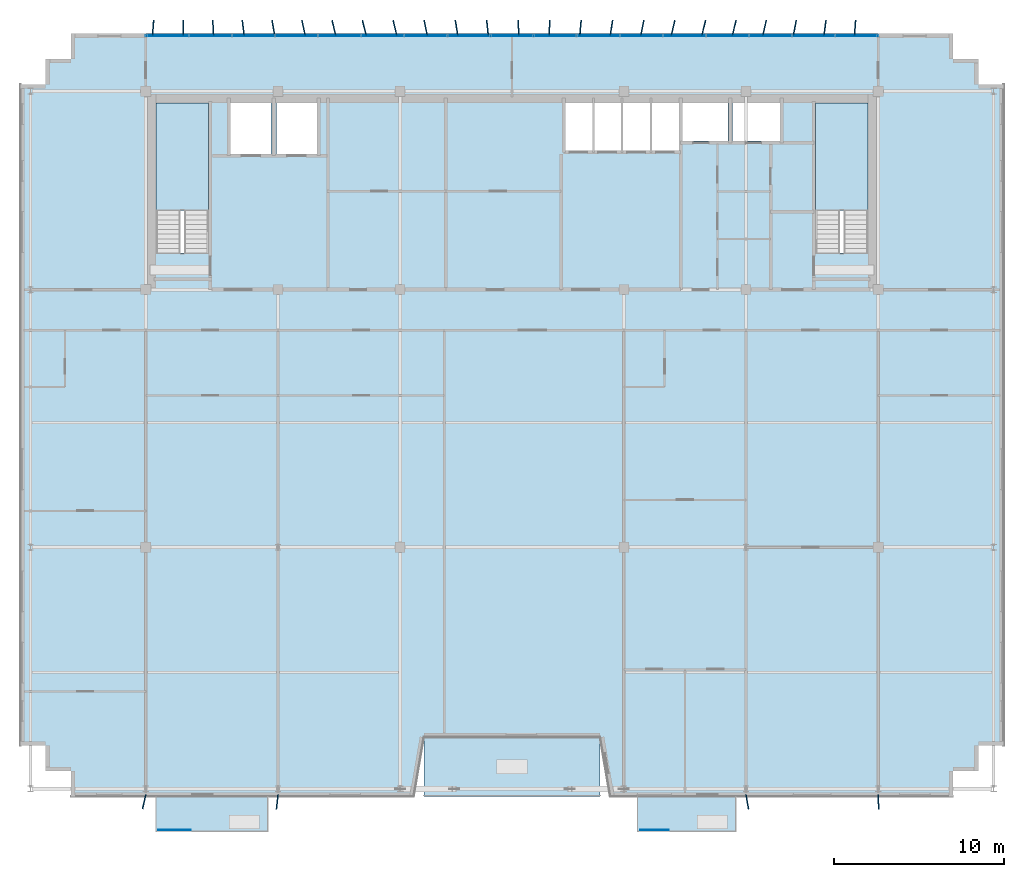
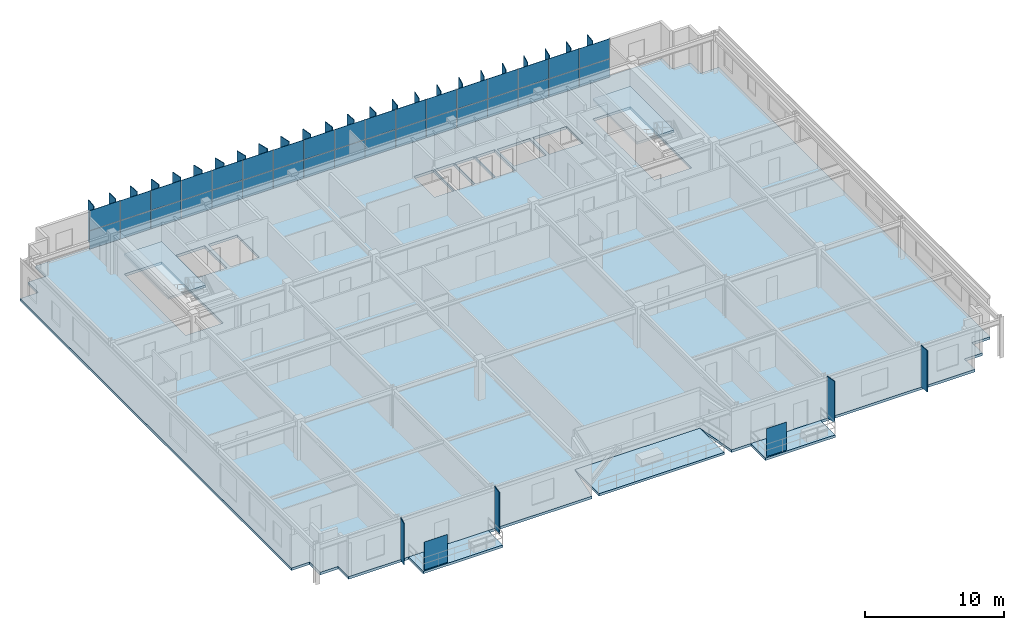
# One storey, part 15 of 22: 64 plates, 6 slabs, 3 elements without a shape of their own.
"""IFC4 building model written with IfcOpenShell, lengths in metres."""

from ifc_helpers import new_model, si_unit, direction, frame, origin, origin_2d, place, context, subcontext, project, spatial, polyline, rectangle, outline, extrude, source, transform, mapped, material, layer, layer_set, type_object, element, aggregate, save


model = new_model("IFC4")

# Units and contexts
model_context = context("Model", 3, precision=1e-05, world=origin(), true_north=direction((0.0, 1.0)))
body_context = subcontext(model_context, "Body", "Model", "MODEL_VIEW")
ifc_project = project(units=[si_unit("LENGTHUNIT", "METRE"), si_unit("AREAUNIT", "SQUARE_METRE"), si_unit("VOLUMEUNIT", "CUBIC_METRE"), si_unit("PLANEANGLEUNIT", "RADIAN"), si_unit("MASSUNIT", "GRAM", prefix="KILO")], contexts=[model_context])

# Site, building, storey
site_placement = place(None, origin())
site = spatial("IfcSite", under=ifc_project, at=site_placement, CompositionType="ELEMENT")
building_placement = place(site_placement, origin())
building = spatial("IfcBuilding", under=site, at=building_placement, Name="Trelvane Seafront Commons", CompositionType="ELEMENT")
storey_placement = place(building_placement, frame((0.0, 0.0, 288.300048828125)))
storey = spatial("IfcBuildingStorey", under=building, at=storey_placement, Name="L75", CompositionType="ELEMENT", Elevation=288.300048828125)

# Slabs
ifc_material_1 = material(Name="Concrete C40/50", Category="concrete")
ifc_layer_1 = layer(ifc_material_1, 0.219970703125, Name="ARCH-BALC-220")
ifc_layer_set_1 = layer_set([ifc_layer_1], Name="Concrete C40/50")
slab_type_1 = type_object("IfcSlabType", Name="ARCH-BALC-220", PredefinedType="FLOOR", material=ifc_layer_set_1)
slab_1_placement = place(storey_placement, frame((0.0, 0.0, -0.219970703125)))
element("IfcSlab", 1, at=slab_1_placement, inside=storey, type_object=slab_type_1, Name="L75 Cantilevered Tree Balcony Loggia 1", PredefinedType="FLOOR", context=body_context, shape_type="SweptSolid", body=[
    extrude(outline(polyline([(16.199951171875, 1.39990234375), (22.800048828125, 1.39990234375), (22.800048828125, 3.5), (16.199951171875, 3.5), (16.199951171875, 1.39990234375)])), origin(), (0.0, 0.0, 1.0), 0.219970703125),
])
slab_2_placement = place(storey_placement, frame((0.0, 0.0, -0.219970703125)))
element("IfcSlab", 2, at=slab_2_placement, inside=storey, type_object=slab_type_1, Name="L75 Cantilevered Tree Balcony Loggia 2", PredefinedType="FLOOR", context=body_context, shape_type="SweptSolid", body=[
    extrude(outline(polyline([(44.60009765625, 1.39990234375), (50.39990234375, 1.39990234375), (50.39990234375, 3.5), (44.60009765625, 3.5), (44.60009765625, 1.39990234375)])), origin(), (0.0, 0.0, 1.0), 0.219970703125),
])

# Stair, slab
stair_type_1 = type_object("IfcStairType", Name="ARCH-STR-ST-1-R20-180", PredefinedType="HALF_TURN_STAIR", material=ifc_material_1)
stair_1_placement = place(storey_placement, origin())
stair_1 = element("IfcStair", 3, at=stair_1_placement, inside=storey, type_object=stair_type_1, Name="L75 West Protected Firefighting Exit Stair ST-1", PredefinedType="HALF_TURN_STAIR")
ifc_layer_2 = layer(ifc_material_1, 0.199951171875, Name="ARCH-LND-200")
ifc_layer_set_2 = layer_set([ifc_layer_2], Name="Concrete C40/50")
slab_type_2 = type_object("IfcSlabType", Name="ARCH-LND-200", PredefinedType="LANDING", material=ifc_layer_set_2)
slab_3_placement = place(storey_placement, frame((0.0, 0.0, 1.599853515625)))
slab_3 = element("IfcSlab", 4, at=slab_3_placement, type_object=slab_type_2, Name="ST-1 landing 1", PredefinedType="LANDING", context=body_context, shape_type="SweptSolid", body=[
    extrude(outline(polyline([(19.300048828125, 38.070068359375), (19.300048828125, 44.39990234375), (16.199951171875, 44.39990234375), (16.199951171875, 38.070068359375), (19.300048828125, 38.070068359375)])), origin(), (0.0, 0.0, 1.0), 0.2001953125),
])
aggregate(stair_1, [slab_3])

stair_type_2 = type_object("IfcStairType", Name="ARCH-STR-ST-2-R20-180", PredefinedType="HALF_TURN_STAIR", material=ifc_material_1)
stair_2_placement = place(storey_placement, origin())
stair_2 = element("IfcStair", 5, at=stair_2_placement, inside=storey, type_object=stair_type_2, Name="L75 East Protected Firefighting Exit Stair ST-2", PredefinedType="HALF_TURN_STAIR")
slab_4_placement = place(storey_placement, frame((0.0, 0.0, 1.599853515625)))
slab_4 = element("IfcSlab", 6, at=slab_4_placement, type_object=slab_type_2, Name="ST-2 landing 1", PredefinedType="LANDING", context=body_context, shape_type="SweptSolid", body=[
    extrude(outline(polyline([(58.199951171875, 38.070068359375), (58.199951171875, 44.39990234375), (55.10009765625, 44.39990234375), (55.10009765625, 38.070068359375), (58.199951171875, 38.070068359375)])), origin(), (0.0, 0.0, 1.0), 0.2001953125),
])
aggregate(stair_2, [slab_4])

# Slabs
ifc_layer_3 = layer(ifc_material_1, 0.2099609375, Name="ARCH-TERR-210")
ifc_layer_set_3 = layer_set([ifc_layer_3], Name="Concrete C40/50")
slab_type_3 = type_object("IfcSlabType", Name="ARCH-TERR-210", PredefinedType="FLOOR", material=ifc_layer_set_3)
slab_5_placement = place(storey_placement, frame((0.0, 0.0, -0.2099609375)))
element("IfcSlab", 7, at=slab_5_placement, inside=storey, type_object=slab_type_3, Name="L75 V-Notched Sky Garden Terrace Slab", PredefinedType="FLOOR", context=body_context, shape_type="SweptSolid", body=[
    extrude(outline(polyline([(32.0, 3.5), (42.39990234375, 3.5), (42.39990234375, 7.0), (32.0, 7.0), (32.0, 3.5)])), origin(), (0.0, 0.0, 1.0), 0.2099609375),
])
ifc_material_2 = material(Name="Concrete C50/60", Category="concrete")
ifc_layer_4 = layer(ifc_material_2, 0.22998046875, Name="STR-SLB-Z5-230")
ifc_layer_set_4 = layer_set([ifc_layer_4], Name="Concrete C50/60")
slab_type_4 = type_object("IfcSlabType", Name="STR-SLB-Z5-230", PredefinedType="FLOOR", material=ifc_layer_set_4)
slab_6_placement = place(storey_placement, frame((0.0, 0.0, -0.22998046875)))
element("IfcSlab", 8, at=slab_6_placement, inside=storey, type_object=slab_type_4, Name="L75 Structural Floor Slab", PredefinedType="FLOOR", context=body_context, shape_type="SweptSolid", body=[
    extrude(outline(polyline([(11.199951171875, 3.5), (31.39990234375, 3.5), (32.0, 7.0), (42.39990234375, 7.0), (43.0, 3.5), (63.199951171875, 3.5), (63.199951171875, 5.0), (64.699951171875, 5.0), (64.699951171875, 6.5), (66.199951171875, 6.5), (66.199951171875, 45.5), (64.699951171875, 45.5), (64.699951171875, 47.0), (63.199951171875, 47.0), (63.199951171875, 48.5), (11.199951171875, 48.5), (11.199951171875, 47.0), (9.699951171875, 47.0), (9.699951171875, 45.5), (8.199951171875, 45.5), (8.199951171875, 6.5), (9.699951171875, 6.5), (9.699951171875, 5.0), (11.199951171875, 5.0), (11.199951171875, 3.5)]), holes=[polyline([(19.300048828125, 35.550048828125), (16.199951171875, 35.550048828125), (16.199951171875, 44.39990234375), (19.300048828125, 44.39990234375), (19.300048828125, 35.550048828125)]), polyline([(58.199951171875, 35.550048828125), (55.10009765625, 35.550048828125), (55.10009765625, 44.39990234375), (58.199951171875, 44.39990234375), (58.199951171875, 35.550048828125)]), polyline([(23.0, 41.39990234375), (20.60009765625, 41.39990234375), (20.60009765625, 44.60009765625), (23.0, 44.60009765625), (23.0, 41.39990234375)]), polyline([(23.300048828125, 41.39990234375), (23.300048828125, 44.60009765625), (25.699951171875, 44.60009765625), (25.699951171875, 41.39990234375), (23.300048828125, 41.39990234375)]), polyline([(40.35009765625, 41.60009765625), (40.35009765625, 44.60009765625), (41.969970703125, 44.60009765625), (41.969970703125, 41.60009765625), (40.35009765625, 41.60009765625)]), polyline([(43.669921875, 41.60009765625), (42.050048828125, 41.60009765625), (42.050048828125, 44.60009765625), (43.669921875, 44.60009765625), (43.669921875, 41.60009765625)]), polyline([(45.3701171875, 41.60009765625), (43.75, 41.60009765625), (43.75, 44.60009765625), (45.3701171875, 44.60009765625), (45.3701171875, 41.60009765625)]), polyline([(47.070068359375, 41.60009765625), (45.449951171875, 41.60009765625), (45.449951171875, 44.60009765625), (47.070068359375, 44.60009765625), (47.070068359375, 41.60009765625)]), polyline([(47.25, 42.14990234375), (47.25, 44.550048828125), (49.949951171875, 44.550048828125), (49.949951171875, 42.14990234375), (47.25, 42.14990234375)]), polyline([(50.199951171875, 42.14990234375), (50.199951171875, 44.550048828125), (53.0, 44.550048828125), (53.0, 42.14990234375), (50.199951171875, 42.14990234375)])]), origin(), (0.0, 0.0, 1.0), 0.22998046875),
])

# Plates
ifc_material_3 = material(Name="Perforated anodised aluminium screen", Category="aluminium")
ifc_layer_5 = layer(ifc_material_3, 0.01611328125, Name="ARCH-PLATE-SCREEN")
ifc_layer_set_5 = layer_set([ifc_layer_5], Name="Perforated anodised aluminium screen")
plate_type_1 = type_object("IfcPlateType", Name="ARCH-PLATE-SCREEN", PredefinedType="USERDEFINED", material=ifc_layer_set_5)
shared_shape_1 = source(origin(), body_context, "Body", "SweptSolid", [
    extrude(rectangle(XDim=1.9140625, YDim=0.01611328125, at=origin_2d()), origin(), (0.0, 0.0, 1.0), 2.449951171875),
])
plate_1_placement = place(storey_placement, frame((17.306884765625, 1.52001953125, 0.0), z_axis=(0.0, 0.0, 1.0), x_axis=(1.0, 0.0, 0.0)))
element("IfcPlate", 9, at=plate_1_placement, inside=storey, type_object=plate_type_1, Name="SCR-L75-00260", ObjectType="SCREEN", PredefinedType="USERDEFINED", context=body_context, shape_type="MappedRepresentation", body=[
    mapped(shared_shape_1, transform((0.0, 0.0, 0.0), x_axis=(1.0, 0.0, 0.0), y_axis=(0.0, 1.0, 0.0), z_axis=(0.0, 0.0, 1.0), scale=1.0)),
])
shared_shape_2 = source(origin(), body_context, "Body", "SweptSolid", [
    extrude(rectangle(XDim=1.681884765625, YDim=0.01611328125, at=origin_2d()), origin(), (0.0, 0.0, 1.0), 2.449951171875),
])
plate_2_placement = place(storey_placement, frame((45.591064453125, 1.52001953125, 0.0), z_axis=(0.0, 0.0, 1.0), x_axis=(1.0, 0.0, 0.0)))
element("IfcPlate", 10, at=plate_2_placement, inside=storey, type_object=plate_type_1, Name="SCR-L75-00261", ObjectType="SCREEN", PredefinedType="USERDEFINED", context=body_context, shape_type="MappedRepresentation", body=[
    mapped(shared_shape_2, transform((0.0, 0.0, 0.0), x_axis=(1.0, 0.0, 0.0), y_axis=(0.0, 1.0, 0.0), z_axis=(0.0, 0.0, 1.0), scale=1.0)),
])
ifc_material_4 = material(Name="Anodised pale-silver aluminium", Category="aluminium")
ifc_layer_6 = layer(ifc_material_4, 0.06005859375, Name="ARCH-PLATE-FIN900")
ifc_layer_set_6 = layer_set([ifc_layer_6], Name="Anodised pale-silver aluminium")
plate_type_2 = type_object("IfcPlateType", Name="ARCH-PLATE-FIN900", PredefinedType="USERDEFINED", material=ifc_layer_set_6)
shared_shape_3 = source(origin(), body_context, "Body", "SweptSolid", [
    extrude(rectangle(XDim=0.89990234375, YDim=0.06005859375, at=origin_2d()), origin(), (0.0, 0.0, 1.0), 3.639892578125),
])
for number, where, z_axis, x_axis, name in (
    (11, (16.033203125, 48.8486328125, -0.02001953125), (0.0, 0.0, 1.0), (0.074002317451, 0.997258069414, 0.0), "FIN-L75-02097"),
    (12, (17.8037109375, 48.85009765625, -0.02001953125), (0.0, 0.0, 1.0), (0.008443802581, 0.999964350464, 0.0), "FIN-L75-02098"),
    (13, (19.573974609375, 48.84912109375, -0.02001953125), (0.0, 0.0, 1.0), (-0.05766683033, 0.998335883698, 0.0), "FIN-L75-02099"),
    (14, (21.34619140625, 48.8466796875, -0.02001953125), (0.0, 0.0, 1.0), (-0.119329366381, 0.992854723673, 0.0), "FIN-L75-02100"),
    (15, (23.122802734375, 48.84326171875, -0.02001953125), (0.0, 0.0, 1.0), (-0.171781235093, 0.985135121326, 0.0), "FIN-L75-02101"),
    (16, (24.90478515625, 48.83984375, -0.02001953125), (0.0, 0.0, 1.0), (-0.211326502368, 0.977415525453, 0.0), "FIN-L75-02102"),
    (17, (26.694091796875, 48.83740234375, -0.02001953125), (0.0, 0.0, 1.0), (-0.235103095898, 0.971970439005, 0.0), "FIN-L75-02103"),
    (18, (28.4912109375, 48.836669921875, -0.02001953125), (0.0, 0.0, 1.0), (-0.241777946669, 0.970331605434, 0.0), "FIN-L75-02104"),
    (19, (30.296142578125, 48.837890625, -0.02001953125), (0.0, 0.0, 1.0), (-0.230883624734, 0.972981372807, 0.0), "FIN-L75-02105"),
    (20, (32.108642578125, 48.840576171875, -0.02001953125), (0.0, 0.0, 1.0), (-0.202990669861, 0.979180671761, 0.0), "FIN-L75-02106"),
    (21, (33.927978515625, 48.84423828125, -0.02001953125), (0.0, 0.0, 1.0), (-0.160001787944, 0.987116724534, 0.0), "FIN-L75-02107"),
    (22, (35.752685546875, 48.847412109375, -0.02001953125), (0.0, 0.0, 1.0), (-0.104892967551, 0.994483516886, 0.0), "FIN-L75-02108"),
    (23, (37.581298828125, 48.849609375, -0.02001953125), (0.0, 0.0, 1.0), (-0.04166814083, 0.999131505879, 0.0), "FIN-L75-02109"),
    (24, (39.4111328125, 48.849853515625, -0.02001953125), (0.0, 0.0, 1.0), (0.024777648721, 0.999692986933, 0.0), "FIN-L75-02110"),
    (25, (41.240234375, 48.84814453125, -0.02001953125), (0.0, 0.0, 1.0), (0.089334108346, 0.996001715403, 0.0), "FIN-L75-02111"),
    (26, (43.066162109375, 48.84521484375, -0.02001953125), (0.0, 0.0, 1.0), (0.147003246187, 0.989136009662, 0.0), "FIN-L75-02112"),
    (27, (44.886962890625, 48.841552734375, -0.02001953125), (0.0, 0.0, 1.0), (0.193337135098, 0.981132382603, 0.0), "FIN-L75-02113"),
    (28, (46.701416015625, 48.83837890625, -0.02001953125), (0.0, 0.0, 1.0), (0.225321768106, 0.974284404482, 0.0), "FIN-L75-02114"),
    (29, (48.50830078125, 48.836669921875, -0.02001953125), (0.0, 0.0, 1.0), (0.240678679058, 0.970604849281, 0.0), "FIN-L75-02115"),
    (30, (50.307373046875, 48.8369140625, -0.02001953125), (0.0, 0.0, 1.0), (0.238455489153, 0.971153427473, 0.0), "FIN-L75-02116"),
    (31, (52.098388671875, 48.839111328125, -0.02001953125), (0.0, 0.0, 1.0), (0.21888240924, 0.975751244388, 0.0), "FIN-L75-02117"),
    (32, (53.88232421875, 48.84228515625, -0.02001953125), (0.0, 0.0, 1.0), (0.183215329962, 0.983072806493, 0.0), "FIN-L75-02118"),
    (33, (55.66015625, 48.845947265625, -0.02001953125), (0.0, 0.0, 1.0), (0.133778631445, 0.991011239981, 0.0), "FIN-L75-02119"),
    (34, (57.433349609375, 48.8486328125, -0.02001953125), (0.0, 0.0, 1.0), (0.074002317451, 0.997258069414, 0.0), "FIN-L75-02120"),
):
    element("IfcPlate", number, at=place(storey_placement, frame(where, z_axis=z_axis, x_axis=x_axis)), inside=storey, type_object=plate_type_2, Name=name, ObjectType="FIN", PredefinedType="USERDEFINED", context=body_context, shape_type="MappedRepresentation", body=[
        mapped(shared_shape_3, transform((0.0, 0.0, 0.0), x_axis=(1.0, 0.0, 0.0), y_axis=(0.0, 1.0, 0.0), z_axis=(0.0, 0.0, 1.0), scale=1.0)),
    ])
shared_shape_4 = source(origin(), body_context, "Body", "SweptSolid", [
    extrude(rectangle(XDim=0.85009765625, YDim=0.06005859375, at=origin_2d()), origin(), (0.0, 0.0, 1.0), 3.639892578125),
])
for number, where, z_axis, x_axis, name in (
    (35, (15.5048828125, 3.185791015625, -0.02001953125), (0.0, 0.0, 1.0), (-0.223888047858, -0.974614868564, 0.0), "FIN-S-L75-02121"),
    (36, (23.352294921875, 3.177734375, -0.02001953125), (0.0, 0.0, 1.0), (-0.11235519284, -0.993668108898, 0.0), "FIN-S-L75-02122"),
    (37, (51.075439453125, 3.181884765625, -0.02001953125), (0.0, 0.0, 1.0), (0.177756337478, -0.984074531977, 0.0), "FIN-S-L75-02123"),
    (38, (58.8125, 3.17529296875, -0.02001953125), (0.0, 0.0, 1.0), (0.029294650537, -0.999570819627, 0.0), "FIN-S-L75-02124"),
):
    element("IfcPlate", number, at=place(storey_placement, frame(where, z_axis=z_axis, x_axis=x_axis)), inside=storey, type_object=plate_type_2, Name=name, ObjectType="FIN", PredefinedType="USERDEFINED", context=body_context, shape_type="MappedRepresentation", body=[
        mapped(shared_shape_4, transform((0.0, 0.0, 0.0), x_axis=(1.0, 0.0, 0.0), y_axis=(0.0, 1.0, 0.0), z_axis=(0.0, 0.0, 1.0), scale=1.0)),
    ])

# Curtain wall, plates
curtain_wall_type = type_object("IfcCurtainWallType", Name="ARCH-CW5-UPTOWER", PredefinedType="NOTDEFINED", material=ifc_material_4)
curtain_wall_placement = place(storey_placement, origin())
curtain_wall = element("IfcCurtainWall", 39, at=curtain_wall_placement, inside=storey, type_object=curtain_wall_type, Name="CW-L75-0119", PredefinedType="NOTDEFINED")
ifc_material_5 = material(Name="Low-E coastal double glazing", Category="glass")
ifc_layer_7 = layer(ifc_material_5, 0.033935546875, Name="ARCH-CW-GLAZ-34")
ifc_layer_set_7 = layer_set([ifc_layer_7], Name="Low-E coastal double glazing")
plate_type_3 = type_object("IfcPlateType", Name="ARCH-CW-GLAZ-34", PredefinedType="CURTAIN_PANEL", material=ifc_layer_set_7)
shared_shape_5 = source(origin(), body_context, "Body", "SweptSolid", [
    extrude(rectangle(XDim=2.51708984375, YDim=0.033935546875, at=origin_2d()), origin(), (0.0, 0.0, 1.0), 1.60009765625),
])
plate_3_placement = place(storey_placement, frame((16.87060546875, 48.3701171875, 0.0), z_axis=(0.0, 0.0, 1.0), x_axis=(1.0, 0.0, 0.0)))
plate_3 = element("IfcPlate", 40, at=plate_3_placement, type_object=plate_type_3, Name="CW-L75-0119-P00-1", PredefinedType="CURTAIN_PANEL", context=body_context, shape_type="MappedRepresentation", body=[
    mapped(shared_shape_5, transform((0.0, 0.0, 0.0), x_axis=(1.0, 0.0, 0.0), y_axis=(0.0, 1.0, 0.0), z_axis=(0.0, 0.0, 1.0), scale=1.0)),
])
plate_4_placement = place(storey_placement, frame((19.411865234375, 48.3701171875, 0.0), z_axis=(0.0, 0.0, 1.0), x_axis=(1.0, 0.0, 0.0)))
plate_4 = element("IfcPlate", 41, at=plate_4_placement, type_object=plate_type_3, Name="CW-L75-0119-P01-1", PredefinedType="CURTAIN_PANEL", context=body_context, shape_type="MappedRepresentation", body=[
    mapped(shared_shape_5, transform((0.0, 0.0, 0.0), x_axis=(1.0, 0.0, 0.0), y_axis=(0.0, 1.0, 0.0), z_axis=(0.0, 0.0, 1.0), scale=1.0)),
])
plate_5_placement = place(storey_placement, frame((21.952880859375, 48.3701171875, 0.0), z_axis=(0.0, 0.0, 1.0), x_axis=(1.0, 0.0, 0.0)))
plate_5 = element("IfcPlate", 42, at=plate_5_placement, type_object=plate_type_3, Name="CW-L75-0119-P02-1", PredefinedType="CURTAIN_PANEL", context=body_context, shape_type="MappedRepresentation", body=[
    mapped(shared_shape_5, transform((0.0, 0.0, 0.0), x_axis=(1.0, 0.0, 0.0), y_axis=(0.0, 1.0, 0.0), z_axis=(0.0, 0.0, 1.0), scale=1.0)),
])
plate_6_placement = place(storey_placement, frame((24.494140625, 48.3701171875, 0.0), z_axis=(0.0, 0.0, 1.0), x_axis=(1.0, 0.0, 0.0)))
plate_6 = element("IfcPlate", 43, at=plate_6_placement, type_object=plate_type_3, Name="CW-L75-0119-P03-1", PredefinedType="CURTAIN_PANEL", context=body_context, shape_type="MappedRepresentation", body=[
    mapped(shared_shape_5, transform((0.0, 0.0, 0.0), x_axis=(1.0, 0.0, 0.0), y_axis=(0.0, 1.0, 0.0), z_axis=(0.0, 0.0, 1.0), scale=1.0)),
])
plate_7_placement = place(storey_placement, frame((27.035400390625, 48.3701171875, 0.0), z_axis=(0.0, 0.0, 1.0), x_axis=(1.0, 0.0, 0.0)))
plate_7 = element("IfcPlate", 44, at=plate_7_placement, type_object=plate_type_3, Name="CW-L75-0119-P04-1", PredefinedType="CURTAIN_PANEL", context=body_context, shape_type="MappedRepresentation", body=[
    mapped(shared_shape_5, transform((0.0, 0.0, 0.0), x_axis=(1.0, 0.0, 0.0), y_axis=(0.0, 1.0, 0.0), z_axis=(0.0, 0.0, 1.0), scale=1.0)),
])
plate_8_placement = place(storey_placement, frame((29.576416015625, 48.3701171875, 0.0), z_axis=(0.0, 0.0, 1.0), x_axis=(1.0, 0.0, 0.0)))
plate_8 = element("IfcPlate", 45, at=plate_8_placement, type_object=plate_type_3, Name="CW-L75-0119-P05-1", PredefinedType="CURTAIN_PANEL", context=body_context, shape_type="MappedRepresentation", body=[
    mapped(shared_shape_5, transform((0.0, 0.0, 0.0), x_axis=(1.0, 0.0, 0.0), y_axis=(0.0, 1.0, 0.0), z_axis=(0.0, 0.0, 1.0), scale=1.0)),
])
plate_9_placement = place(storey_placement, frame((32.11767578125, 48.3701171875, 0.0), z_axis=(0.0, 0.0, 1.0), x_axis=(1.0, 0.0, 0.0)))
plate_9 = element("IfcPlate", 46, at=plate_9_placement, type_object=plate_type_3, Name="CW-L75-0119-P06-1", PredefinedType="CURTAIN_PANEL", context=body_context, shape_type="MappedRepresentation", body=[
    mapped(shared_shape_5, transform((0.0, 0.0, 0.0), x_axis=(1.0, 0.0, 0.0), y_axis=(0.0, 1.0, 0.0), z_axis=(0.0, 0.0, 1.0), scale=1.0)),
])
plate_10_placement = place(storey_placement, frame((34.65869140625, 48.3701171875, 0.0), z_axis=(0.0, 0.0, 1.0), x_axis=(1.0, 0.0, 0.0)))
plate_10 = element("IfcPlate", 47, at=plate_10_placement, type_object=plate_type_3, Name="CW-L75-0119-P07-1", PredefinedType="CURTAIN_PANEL", context=body_context, shape_type="MappedRepresentation", body=[
    mapped(shared_shape_5, transform((0.0, 0.0, 0.0), x_axis=(1.0, 0.0, 0.0), y_axis=(0.0, 1.0, 0.0), z_axis=(0.0, 0.0, 1.0), scale=1.0)),
])
plate_11_placement = place(storey_placement, frame((37.199951171875, 48.3701171875, 0.0), z_axis=(0.0, 0.0, 1.0), x_axis=(1.0, 0.0, 0.0)))
plate_11 = element("IfcPlate", 48, at=plate_11_placement, type_object=plate_type_3, Name="CW-L75-0119-P08-1", PredefinedType="CURTAIN_PANEL", context=body_context, shape_type="MappedRepresentation", body=[
    mapped(shared_shape_5, transform((0.0, 0.0, 0.0), x_axis=(1.0, 0.0, 0.0), y_axis=(0.0, 1.0, 0.0), z_axis=(0.0, 0.0, 1.0), scale=1.0)),
])
plate_12_placement = place(storey_placement, frame((39.7412109375, 48.3701171875, 0.0), z_axis=(0.0, 0.0, 1.0), x_axis=(1.0, 0.0, 0.0)))
plate_12 = element("IfcPlate", 49, at=plate_12_placement, type_object=plate_type_3, Name="CW-L75-0119-P09-1", PredefinedType="CURTAIN_PANEL", context=body_context, shape_type="MappedRepresentation", body=[
    mapped(shared_shape_5, transform((0.0, 0.0, 0.0), x_axis=(1.0, 0.0, 0.0), y_axis=(0.0, 1.0, 0.0), z_axis=(0.0, 0.0, 1.0), scale=1.0)),
])
plate_13_placement = place(storey_placement, frame((42.282470703125, 48.3701171875, 0.0), z_axis=(0.0, 0.0, 1.0), x_axis=(1.0, 0.0, 0.0)))
plate_13 = element("IfcPlate", 50, at=plate_13_placement, type_object=plate_type_3, Name="CW-L75-0119-P10-1", PredefinedType="CURTAIN_PANEL", context=body_context, shape_type="MappedRepresentation", body=[
    mapped(shared_shape_5, transform((0.0, 0.0, 0.0), x_axis=(1.0, 0.0, 0.0), y_axis=(0.0, 1.0, 0.0), z_axis=(0.0, 0.0, 1.0), scale=1.0)),
])
plate_14_placement = place(storey_placement, frame((44.823486328125, 48.3701171875, 0.0), z_axis=(0.0, 0.0, 1.0), x_axis=(1.0, 0.0, 0.0)))
plate_14 = element("IfcPlate", 51, at=plate_14_placement, type_object=plate_type_3, Name="CW-L75-0119-P11-1", PredefinedType="CURTAIN_PANEL", context=body_context, shape_type="MappedRepresentation", body=[
    mapped(shared_shape_5, transform((0.0, 0.0, 0.0), x_axis=(1.0, 0.0, 0.0), y_axis=(0.0, 1.0, 0.0), z_axis=(0.0, 0.0, 1.0), scale=1.0)),
])
plate_15_placement = place(storey_placement, frame((47.36474609375, 48.3701171875, 0.0), z_axis=(0.0, 0.0, 1.0), x_axis=(1.0, 0.0, 0.0)))
plate_15 = element("IfcPlate", 52, at=plate_15_placement, type_object=plate_type_3, Name="CW-L75-0119-P12-1", PredefinedType="CURTAIN_PANEL", context=body_context, shape_type="MappedRepresentation", body=[
    mapped(shared_shape_5, transform((0.0, 0.0, 0.0), x_axis=(1.0, 0.0, 0.0), y_axis=(0.0, 1.0, 0.0), z_axis=(0.0, 0.0, 1.0), scale=1.0)),
])
plate_16_placement = place(storey_placement, frame((49.906005859375, 48.3701171875, 0.0), z_axis=(0.0, 0.0, 1.0), x_axis=(1.0, 0.0, 0.0)))
plate_16 = element("IfcPlate", 53, at=plate_16_placement, type_object=plate_type_3, Name="CW-L75-0119-P13-1", PredefinedType="CURTAIN_PANEL", context=body_context, shape_type="MappedRepresentation", body=[
    mapped(shared_shape_5, transform((0.0, 0.0, 0.0), x_axis=(1.0, 0.0, 0.0), y_axis=(0.0, 1.0, 0.0), z_axis=(0.0, 0.0, 1.0), scale=1.0)),
])
plate_17_placement = place(storey_placement, frame((52.447021484375, 48.3701171875, 0.0), z_axis=(0.0, 0.0, 1.0), x_axis=(1.0, 0.0, 0.0)))
plate_17 = element("IfcPlate", 54, at=plate_17_placement, type_object=plate_type_3, Name="CW-L75-0119-P14-1", PredefinedType="CURTAIN_PANEL", context=body_context, shape_type="MappedRepresentation", body=[
    mapped(shared_shape_5, transform((0.0, 0.0, 0.0), x_axis=(1.0, 0.0, 0.0), y_axis=(0.0, 1.0, 0.0), z_axis=(0.0, 0.0, 1.0), scale=1.0)),
])
plate_18_placement = place(storey_placement, frame((54.98828125, 48.3701171875, 0.0), z_axis=(0.0, 0.0, 1.0), x_axis=(1.0, 0.0, 0.0)))
plate_18 = element("IfcPlate", 55, at=plate_18_placement, type_object=plate_type_3, Name="CW-L75-0119-P15-1", PredefinedType="CURTAIN_PANEL", context=body_context, shape_type="MappedRepresentation", body=[
    mapped(shared_shape_5, transform((0.0, 0.0, 0.0), x_axis=(1.0, 0.0, 0.0), y_axis=(0.0, 1.0, 0.0), z_axis=(0.0, 0.0, 1.0), scale=1.0)),
])
plate_19_placement = place(storey_placement, frame((57.529296875, 48.3701171875, 0.0), z_axis=(0.0, 0.0, 1.0), x_axis=(1.0, 0.0, 0.0)))
plate_19 = element("IfcPlate", 56, at=plate_19_placement, type_object=plate_type_3, Name="CW-L75-0119-P16-1", PredefinedType="CURTAIN_PANEL", context=body_context, shape_type="MappedRepresentation", body=[
    mapped(shared_shape_5, transform((0.0, 0.0, 0.0), x_axis=(1.0, 0.0, 0.0), y_axis=(0.0, 1.0, 0.0), z_axis=(0.0, 0.0, 1.0), scale=1.0)),
])
shared_shape_6 = source(origin(), body_context, "Body", "SweptSolid", [
    extrude(rectangle(XDim=2.51708984375, YDim=0.033935546875, at=origin_2d()), origin(), (0.0, 0.0, 1.0), 1.73388671875),
])
plate_20_placement = place(storey_placement, frame((16.87060546875, 48.3701171875, 1.635986328125), z_axis=(0.0, 0.0, 1.0), x_axis=(1.0, 0.0, 0.0)))
plate_20 = element("IfcPlate", 57, at=plate_20_placement, type_object=plate_type_3, Name="CW-L75-0119-P00-2", PredefinedType="CURTAIN_PANEL", context=body_context, shape_type="MappedRepresentation", body=[
    mapped(shared_shape_6, transform((0.0, 0.0, 0.0), x_axis=(1.0, 0.0, 0.0), y_axis=(0.0, 1.0, 0.0), z_axis=(0.0, 0.0, 1.0), scale=1.0)),
])
plate_21_placement = place(storey_placement, frame((19.411865234375, 48.3701171875, 1.635986328125), z_axis=(0.0, 0.0, 1.0), x_axis=(1.0, 0.0, 0.0)))
plate_21 = element("IfcPlate", 58, at=plate_21_placement, type_object=plate_type_3, Name="CW-L75-0119-P01-2", PredefinedType="CURTAIN_PANEL", context=body_context, shape_type="MappedRepresentation", body=[
    mapped(shared_shape_6, transform((0.0, 0.0, 0.0), x_axis=(1.0, 0.0, 0.0), y_axis=(0.0, 1.0, 0.0), z_axis=(0.0, 0.0, 1.0), scale=1.0)),
])
plate_22_placement = place(storey_placement, frame((21.952880859375, 48.3701171875, 1.635986328125), z_axis=(0.0, 0.0, 1.0), x_axis=(1.0, 0.0, 0.0)))
plate_22 = element("IfcPlate", 59, at=plate_22_placement, type_object=plate_type_3, Name="CW-L75-0119-P02-2", PredefinedType="CURTAIN_PANEL", context=body_context, shape_type="MappedRepresentation", body=[
    mapped(shared_shape_6, transform((0.0, 0.0, 0.0), x_axis=(1.0, 0.0, 0.0), y_axis=(0.0, 1.0, 0.0), z_axis=(0.0, 0.0, 1.0), scale=1.0)),
])
plate_23_placement = place(storey_placement, frame((24.494140625, 48.3701171875, 1.635986328125), z_axis=(0.0, 0.0, 1.0), x_axis=(1.0, 0.0, 0.0)))
plate_23 = element("IfcPlate", 60, at=plate_23_placement, type_object=plate_type_3, Name="CW-L75-0119-P03-2", PredefinedType="CURTAIN_PANEL", context=body_context, shape_type="MappedRepresentation", body=[
    mapped(shared_shape_6, transform((0.0, 0.0, 0.0), x_axis=(1.0, 0.0, 0.0), y_axis=(0.0, 1.0, 0.0), z_axis=(0.0, 0.0, 1.0), scale=1.0)),
])
plate_24_placement = place(storey_placement, frame((27.035400390625, 48.3701171875, 1.635986328125), z_axis=(0.0, 0.0, 1.0), x_axis=(1.0, 0.0, 0.0)))
plate_24 = element("IfcPlate", 61, at=plate_24_placement, type_object=plate_type_3, Name="CW-L75-0119-P04-2", PredefinedType="CURTAIN_PANEL", context=body_context, shape_type="MappedRepresentation", body=[
    mapped(shared_shape_6, transform((0.0, 0.0, 0.0), x_axis=(1.0, 0.0, 0.0), y_axis=(0.0, 1.0, 0.0), z_axis=(0.0, 0.0, 1.0), scale=1.0)),
])
plate_25_placement = place(storey_placement, frame((29.576416015625, 48.3701171875, 1.635986328125), z_axis=(0.0, 0.0, 1.0), x_axis=(1.0, 0.0, 0.0)))
plate_25 = element("IfcPlate", 62, at=plate_25_placement, type_object=plate_type_3, Name="CW-L75-0119-P05-2", PredefinedType="CURTAIN_PANEL", context=body_context, shape_type="MappedRepresentation", body=[
    mapped(shared_shape_6, transform((0.0, 0.0, 0.0), x_axis=(1.0, 0.0, 0.0), y_axis=(0.0, 1.0, 0.0), z_axis=(0.0, 0.0, 1.0), scale=1.0)),
])
plate_26_placement = place(storey_placement, frame((32.11767578125, 48.3701171875, 1.635986328125), z_axis=(0.0, 0.0, 1.0), x_axis=(1.0, 0.0, 0.0)))
plate_26 = element("IfcPlate", 63, at=plate_26_placement, type_object=plate_type_3, Name="CW-L75-0119-P06-2", PredefinedType="CURTAIN_PANEL", context=body_context, shape_type="MappedRepresentation", body=[
    mapped(shared_shape_6, transform((0.0, 0.0, 0.0), x_axis=(1.0, 0.0, 0.0), y_axis=(0.0, 1.0, 0.0), z_axis=(0.0, 0.0, 1.0), scale=1.0)),
])
plate_27_placement = place(storey_placement, frame((34.65869140625, 48.3701171875, 1.635986328125), z_axis=(0.0, 0.0, 1.0), x_axis=(1.0, 0.0, 0.0)))
plate_27 = element("IfcPlate", 64, at=plate_27_placement, type_object=plate_type_3, Name="CW-L75-0119-P07-2", PredefinedType="CURTAIN_PANEL", context=body_context, shape_type="MappedRepresentation", body=[
    mapped(shared_shape_6, transform((0.0, 0.0, 0.0), x_axis=(1.0, 0.0, 0.0), y_axis=(0.0, 1.0, 0.0), z_axis=(0.0, 0.0, 1.0), scale=1.0)),
])
plate_28_placement = place(storey_placement, frame((37.199951171875, 48.3701171875, 1.635986328125), z_axis=(0.0, 0.0, 1.0), x_axis=(1.0, 0.0, 0.0)))
plate_28 = element("IfcPlate", 65, at=plate_28_placement, type_object=plate_type_3, Name="CW-L75-0119-P08-2", PredefinedType="CURTAIN_PANEL", context=body_context, shape_type="MappedRepresentation", body=[
    mapped(shared_shape_6, transform((0.0, 0.0, 0.0), x_axis=(1.0, 0.0, 0.0), y_axis=(0.0, 1.0, 0.0), z_axis=(0.0, 0.0, 1.0), scale=1.0)),
])
plate_29_placement = place(storey_placement, frame((39.7412109375, 48.3701171875, 1.635986328125), z_axis=(0.0, 0.0, 1.0), x_axis=(1.0, 0.0, 0.0)))
plate_29 = element("IfcPlate", 66, at=plate_29_placement, type_object=plate_type_3, Name="CW-L75-0119-P09-2", PredefinedType="CURTAIN_PANEL", context=body_context, shape_type="MappedRepresentation", body=[
    mapped(shared_shape_6, transform((0.0, 0.0, 0.0), x_axis=(1.0, 0.0, 0.0), y_axis=(0.0, 1.0, 0.0), z_axis=(0.0, 0.0, 1.0), scale=1.0)),
])
plate_30_placement = place(storey_placement, frame((42.282470703125, 48.3701171875, 1.635986328125), z_axis=(0.0, 0.0, 1.0), x_axis=(1.0, 0.0, 0.0)))
plate_30 = element("IfcPlate", 67, at=plate_30_placement, type_object=plate_type_3, Name="CW-L75-0119-P10-2", PredefinedType="CURTAIN_PANEL", context=body_context, shape_type="MappedRepresentation", body=[
    mapped(shared_shape_6, transform((0.0, 0.0, 0.0), x_axis=(1.0, 0.0, 0.0), y_axis=(0.0, 1.0, 0.0), z_axis=(0.0, 0.0, 1.0), scale=1.0)),
])
plate_31_placement = place(storey_placement, frame((44.823486328125, 48.3701171875, 1.635986328125), z_axis=(0.0, 0.0, 1.0), x_axis=(1.0, 0.0, 0.0)))
plate_31 = element("IfcPlate", 68, at=plate_31_placement, type_object=plate_type_3, Name="CW-L75-0119-P11-2", PredefinedType="CURTAIN_PANEL", context=body_context, shape_type="MappedRepresentation", body=[
    mapped(shared_shape_6, transform((0.0, 0.0, 0.0), x_axis=(1.0, 0.0, 0.0), y_axis=(0.0, 1.0, 0.0), z_axis=(0.0, 0.0, 1.0), scale=1.0)),
])
plate_32_placement = place(storey_placement, frame((47.36474609375, 48.3701171875, 1.635986328125), z_axis=(0.0, 0.0, 1.0), x_axis=(1.0, 0.0, 0.0)))
plate_32 = element("IfcPlate", 69, at=plate_32_placement, type_object=plate_type_3, Name="CW-L75-0119-P12-2", PredefinedType="CURTAIN_PANEL", context=body_context, shape_type="MappedRepresentation", body=[
    mapped(shared_shape_6, transform((0.0, 0.0, 0.0), x_axis=(1.0, 0.0, 0.0), y_axis=(0.0, 1.0, 0.0), z_axis=(0.0, 0.0, 1.0), scale=1.0)),
])
plate_33_placement = place(storey_placement, frame((49.906005859375, 48.3701171875, 1.635986328125), z_axis=(0.0, 0.0, 1.0), x_axis=(1.0, 0.0, 0.0)))
plate_33 = element("IfcPlate", 70, at=plate_33_placement, type_object=plate_type_3, Name="CW-L75-0119-P13-2", PredefinedType="CURTAIN_PANEL", context=body_context, shape_type="MappedRepresentation", body=[
    mapped(shared_shape_6, transform((0.0, 0.0, 0.0), x_axis=(1.0, 0.0, 0.0), y_axis=(0.0, 1.0, 0.0), z_axis=(0.0, 0.0, 1.0), scale=1.0)),
])
plate_34_placement = place(storey_placement, frame((52.447021484375, 48.3701171875, 1.635986328125), z_axis=(0.0, 0.0, 1.0), x_axis=(1.0, 0.0, 0.0)))
plate_34 = element("IfcPlate", 71, at=plate_34_placement, type_object=plate_type_3, Name="CW-L75-0119-P14-2", PredefinedType="CURTAIN_PANEL", context=body_context, shape_type="MappedRepresentation", body=[
    mapped(shared_shape_6, transform((0.0, 0.0, 0.0), x_axis=(1.0, 0.0, 0.0), y_axis=(0.0, 1.0, 0.0), z_axis=(0.0, 0.0, 1.0), scale=1.0)),
])
plate_35_placement = place(storey_placement, frame((54.98828125, 48.3701171875, 1.635986328125), z_axis=(0.0, 0.0, 1.0), x_axis=(1.0, 0.0, 0.0)))
plate_35 = element("IfcPlate", 72, at=plate_35_placement, type_object=plate_type_3, Name="CW-L75-0119-P15-2", PredefinedType="CURTAIN_PANEL", context=body_context, shape_type="MappedRepresentation", body=[
    mapped(shared_shape_6, transform((0.0, 0.0, 0.0), x_axis=(1.0, 0.0, 0.0), y_axis=(0.0, 1.0, 0.0), z_axis=(0.0, 0.0, 1.0), scale=1.0)),
])
plate_36_placement = place(storey_placement, frame((57.529296875, 48.3701171875, 1.635986328125), z_axis=(0.0, 0.0, 1.0), x_axis=(1.0, 0.0, 0.0)))
plate_36 = element("IfcPlate", 73, at=plate_36_placement, type_object=plate_type_3, Name="CW-L75-0119-P16-2", PredefinedType="CURTAIN_PANEL", context=body_context, shape_type="MappedRepresentation", body=[
    mapped(shared_shape_6, transform((0.0, 0.0, 0.0), x_axis=(1.0, 0.0, 0.0), y_axis=(0.0, 1.0, 0.0), z_axis=(0.0, 0.0, 1.0), scale=1.0)),
])
aggregate(curtain_wall, [plate_3, plate_20, plate_4, plate_21, plate_5, plate_22, plate_6, plate_23, plate_7, plate_24, plate_8, plate_25, plate_9, plate_26, plate_10, plate_27, plate_11, plate_28, plate_12, plate_29, plate_13, plate_30, plate_14, plate_31, plate_15, plate_32, plate_16, plate_33, plate_17, plate_34, plate_18, plate_35, plate_19, plate_36])

save(model, "model.ifc")
